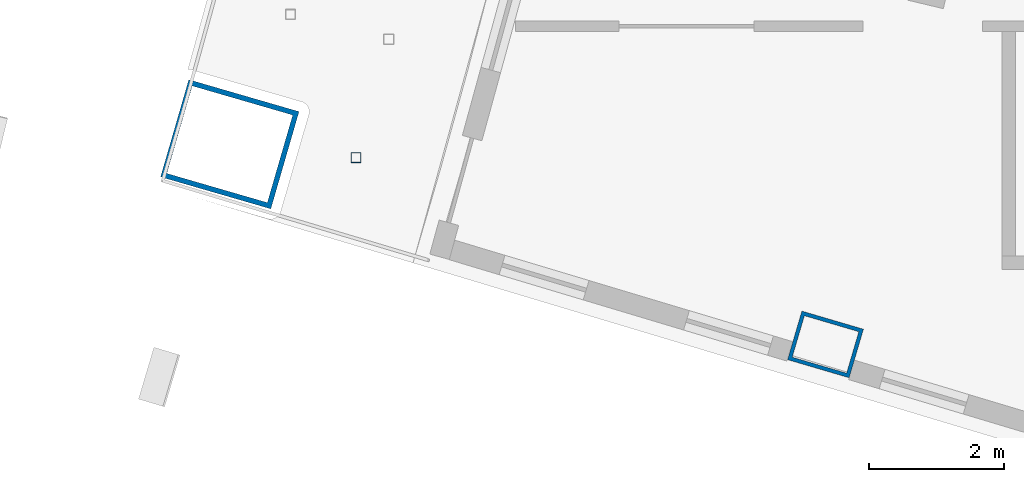
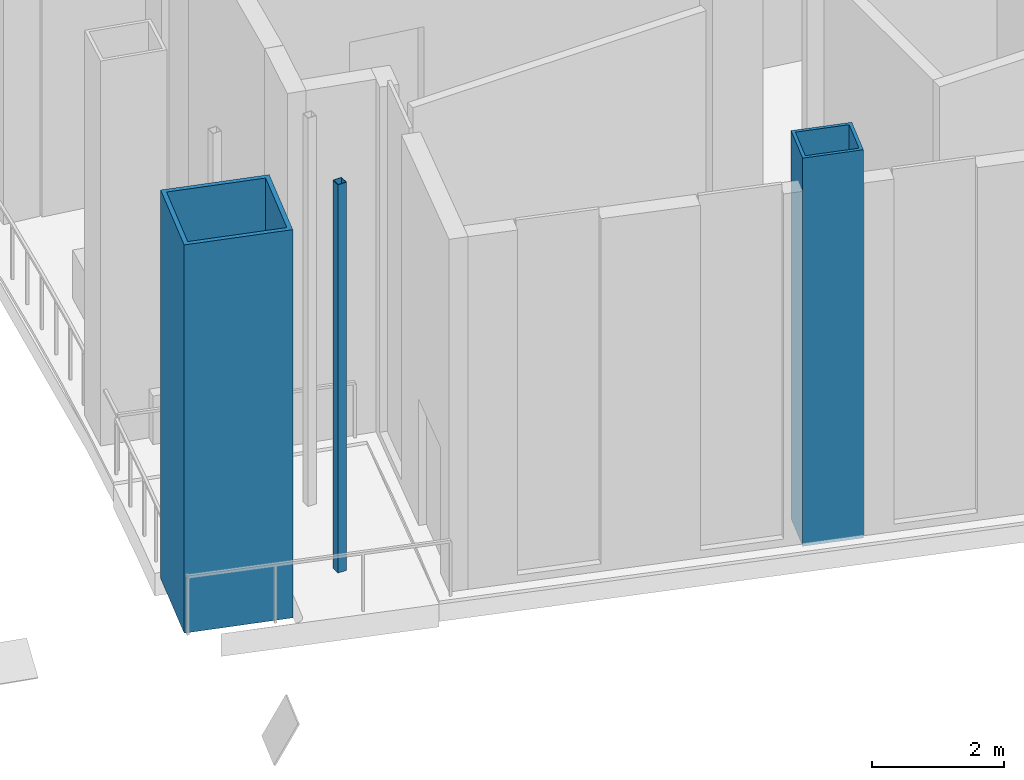
# One storey, part 1 of 24: 3 columns.
"""IFC4 building model written with IfcOpenShell, lengths in metres."""

import ifcopenshell
import ifcopenshell.guid

model = None  # the IFC model being written
_history = None  # IfcOwnerHistory: only IFC2X3 demands one
_inside = {}  # id of a spatial element -> (the spatial element, [elements in it])
_under = {}  # id of a project, library or spatial element -> (it, [spatial elements below it])
_declared = {}  # id of a project -> (the project, [libraries it declares])
_typed = {}  # id of a type object -> (the type object, [elements of that type])
_made_of = {}  # id of a material, layer set ... -> (it, [elements and type objects made of it])


def new_model(schema):
    """Start an empty IFC model of exactly this schema.

    Asked for "IFC4X3", IfcOpenShell would pick the latest addendum, in which some entities
    have other attributes; the version numbers below select the first issue.
    IFC2X3 requires an IfcOwnerHistory on every rooted entity: one is made here for all.
    """
    global model, _history
    if schema == "IFC4X3":
        model = ifcopenshell.file(schema_version=(4, 3, 0, 0))
    else:
        model = ifcopenshell.file(schema=schema)
    _inside.clear()
    _under.clear()
    _declared.clear()
    _typed.clear()
    _made_of.clear()
    _history = None
    if model.schema == "IFC2X3":
        org = make("IfcOrganization", Name="unknown")
        user = make(
            "IfcPersonAndOrganization",
            ThePerson=make("IfcPerson", FamilyName="unknown"),
            TheOrganization=org,
        )
        app = make(
            "IfcApplication",
            ApplicationDeveloper=org,
            Version="unknown",
            ApplicationFullName="unknown",
            ApplicationIdentifier="unknown",
        )
        _history = make(
            "IfcOwnerHistory",
            OwningUser=user,
            OwningApplication=app,
            ChangeAction="ADDED",
            CreationDate=0,
        )
    return model


def make(cls, **values):
    """One entity of the class cls with the attributes given. An attribute that is None is left unset."""
    return model.create_entity(
        cls, **{name: value for name, value in values.items() if value is not None}
    )


def rooted(cls, **values):
    """An entity with a GlobalId (a new one), such as an element, a storey or a relation."""
    return make(cls, GlobalId=ifcopenshell.guid.new(), OwnerHistory=_history, **values)


def si_unit(unit_type, name, prefix=None):
    """IfcSIUnit, for example si_unit("LENGTHUNIT", "METRE", prefix="MILLI")."""
    return make("IfcSIUnit", UnitType=unit_type, Prefix=prefix, Name=name)


def assignment(units):
    """IfcUnitAssignment: the units of a project."""
    return None if units is None else make("IfcUnitAssignment", Units=units)


def point(xyz):
    """IfcCartesianPoint."""
    return None if xyz is None else make("IfcCartesianPoint", Coordinates=xyz)


def direction(xyz):
    """IfcDirection."""
    return None if xyz is None else make("IfcDirection", DirectionRatios=xyz)


def frame(location, z_axis=None, x_axis=None):
    """IfcAxis2Placement3D, a coordinate frame: its origin and axes. An axis left out is left unset."""
    return make(
        "IfcAxis2Placement3D",
        Location=point(location),
        Axis=direction(z_axis),
        RefDirection=direction(x_axis),
    )


def frame_2d(location, x_axis=None):
    """IfcAxis2Placement2D, a coordinate frame in the plane: its origin and x axis."""
    return make(
        "IfcAxis2Placement2D", Location=point(location), RefDirection=direction(x_axis)
    )


def origin():
    """The frame at (0, 0, 0) with its axes left unset."""
    return frame((0.0, 0.0, 0.0))


def origin_2d():
    """The frame at (0, 0) in the plane with its x axis left unset."""
    return frame_2d((0.0, 0.0))


def place(relative_to, where):
    """IfcLocalPlacement: puts the frame where relative to a parent placement (None: the world)."""
    return make(
        "IfcLocalPlacement", PlacementRelTo=relative_to, RelativePlacement=where
    )


def context(
    kind, dimensions, precision=None, world=None, true_north=None, identifier=None
):
    """IfcGeometricRepresentationContext, for example the 3D "Model" context."""
    return make(
        "IfcGeometricRepresentationContext",
        ContextIdentifier=identifier,
        ContextType=kind,
        CoordinateSpaceDimension=dimensions,
        Precision=precision,
        WorldCoordinateSystem=world,
        TrueNorth=true_north,
    )


def subcontext(parent, identifier, kind, view, scale=None):
    """IfcGeometricRepresentationSubContext, for example "Body" below "Model"."""
    return make(
        "IfcGeometricRepresentationSubContext",
        ContextIdentifier=identifier,
        ContextType=kind,
        ParentContext=parent,
        TargetScale=scale,
        TargetView=view,
    )


def project(units=None, contexts=None):
    """IfcProject with its units and contexts."""
    return rooted(
        "IfcProject",
        Name="project",
        RepresentationContexts=contexts,
        UnitsInContext=assignment(units),
    )


def spatial(cls, under=None, at=None, **own):
    """A site, building, storey or space (cls), placed at a placement, below another one or the project."""
    s = rooted(cls, ObjectPlacement=at, **own)
    if under is not None:
        _under.setdefault(under.id(), (under, []))[1].append(s)
    return s


def profile(cls, at=None, kind="AREA", **sizes):
    """A parametric profile (cls). Its sizes go by their IFC names, for example OverallWidth=200.0."""
    return make(cls, ProfileType=kind, Position=at, **sizes)


def hollow_rectangle(**sizes):
    """IfcRectangleHollowProfileDef."""
    return profile("IfcRectangleHollowProfileDef", **sizes)


def extrude(swept, where, along, depth):
    """IfcExtrudedAreaSolid: the profile swept, set in the frame where, extruded along a direction by depth."""
    return make(
        "IfcExtrudedAreaSolid",
        SweptArea=swept,
        Position=where,
        ExtrudedDirection=direction(along),
        Depth=depth,
    )


def shape(context_of_items, identifier, shape_type, items):
    """IfcShapeRepresentation: the items that make up one representation, for example the "Body"."""
    return make(
        "IfcShapeRepresentation",
        ContextOfItems=context_of_items,
        RepresentationIdentifier=identifier,
        RepresentationType=shape_type,
        Items=items,
    )


def material(Name=None, Category=None):
    """IfcMaterial."""
    return make("IfcMaterial", Name=Name, Category=Category)


def material_profile(
    of_material, cross_section, Name=None, Category=None, Priority=None
):
    """IfcMaterialProfile: a cross section and its material."""
    return make(
        "IfcMaterialProfile",
        Name=Name,
        Material=of_material,
        Profile=cross_section,
        Priority=Priority,
        Category=Category,
    )


def profile_set(profiles, Name=None, composite=None):
    """IfcMaterialProfileSet."""
    return make(
        "IfcMaterialProfileSet",
        Name=Name,
        MaterialProfiles=profiles,
        CompositeProfile=composite,
    )


def made_of(thing, what):
    """Note that an element or type object is made of a material, layer set ...; save() writes the relation."""
    if what is not None:
        _made_of.setdefault(what.id(), (what, []))[1].append(thing)
    return thing


def type_object(cls, material=None, **own):
    """A type object (cls), such as IfcWallType, which elements share."""
    return made_of(rooted(cls, **own), material)


def element(
    cls,
    number,
    at=None,
    inside=None,
    cuts=None,
    type_object=None,
    material=None,
    context=None,
    identifier="Body",
    shape_type=None,
    held_by="IfcProductDefinitionShape",
    body=None,
    shapes=None,
    **own,
):
    """One element of the class cls, such as IfcWall. Its Tag is "e" and its number.

    at: its placement. inside: the storey or other place that contains it. cuts: it is an
    opening in that element (IfcRelVoidsElement). A single representation is given by context,
    identifier, shape_type and body (its items); several are given by shapes. held_by: the class
    of the entity that holds the representations. save() writes the other relations.
    """
    e = rooted(cls, Tag="e%d" % number, ObjectPlacement=at, **own)
    if body is not None:
        shapes = [shape(context, identifier, shape_type, body)]
    if shapes is not None:
        e.Representation = make(held_by, Representations=shapes)
    if inside is not None:
        _inside.setdefault(inside.id(), (inside, []))[1].append(e)
    if cuts is not None:
        rooted(
            "IfcRelVoidsElement", RelatingBuildingElement=cuts, RelatedOpeningElement=e
        )
    if type_object is not None:
        _typed.setdefault(type_object.id(), (type_object, []))[1].append(e)
    return made_of(e, material)


def aggregate(whole, parts):
    """IfcRelAggregates: a whole, such as a stair, and the parts it consists of."""
    return rooted("IfcRelAggregates", RelatingObject=whole, RelatedObjects=parts)


def save(model, path):
    """Write the relations noted so far, then the file.

    IfcRelAggregates (storeys below a building ...), IfcRelContainedInSpatialStructure (elements
    in a storey), IfcRelDefinesByType, IfcRelAssociatesMaterial and IfcRelDeclares: one each for
    every whole, place, type object, material and project.
    """
    for whole, parts in _under.values():
        aggregate(whole, parts)
    for where, things in _inside.values():
        rooted(
            "IfcRelContainedInSpatialStructure",
            RelatedElements=things,
            RelatingStructure=where,
        )
    for kind, things in _typed.values():
        rooted("IfcRelDefinesByType", RelatedObjects=things, RelatingType=kind)
    for what, things in _made_of.values():
        rooted("IfcRelAssociatesMaterial", RelatedObjects=things, RelatingMaterial=what)
    for by, libraries in _declared.values():
        rooted("IfcRelDeclares", RelatingContext=by, RelatedDefinitions=libraries)
    model.write(path)


model = new_model("IFC4")

# Units and contexts
model_context = context("Model", 3, precision=1e-05, world=origin(), true_north=direction((0.0, 1.0)))
body_context = subcontext(model_context, "Body", "Model", "MODEL_VIEW")
ifc_project = project(units=[si_unit("LENGTHUNIT", "METRE"), si_unit("AREAUNIT", "SQUARE_METRE"), si_unit("VOLUMEUNIT", "CUBIC_METRE"), si_unit("PLANEANGLEUNIT", "RADIAN"), si_unit("MASSUNIT", "GRAM", prefix="KILO")], contexts=[model_context])

# Site, building, storey
site_placement = place(None, origin())
site = spatial("IfcSite", under=ifc_project, at=site_placement, CompositionType="ELEMENT")
building_placement = place(site_placement, origin())
building = spatial("IfcBuilding", under=site, at=building_placement, Name="Alderwake Tower", CompositionType="ELEMENT")
storey_placement = place(building_placement, frame((0.0, 0.0, 232.39990234375)))
storey = spatial("IfcBuildingStorey", under=building, at=storey_placement, Name="L58", CompositionType="ELEMENT", Elevation=232.39990234375)

# Columns
ifc_material_1 = material(Name="Steel ASTM A572 Grade 50 concrete filled C70/85", Category="concrete")
ifc_material_profile_1 = material_profile(ifc_material_1, hollow_rectangle(XDim=0.75, YDim=0.949951171875, WallThickness=0.054931640625, at=origin_2d()), Name="BOX 950X750X55")
ifc_profile_set_1 = profile_set([ifc_material_profile_1], Name="Steel ASTM A572 Grade 50 concrete filled C70/85")
column_type_1 = type_object("IfcColumnType", Name="End column Z4", PredefinedType="COLUMN", material=ifc_profile_set_1)
column_1_placement = place(storey_placement, frame((21.885498046875, 31.03759765625, 0.0), z_axis=(0.0, 0.0, 1.0), x_axis=(0.282132160283, 0.95937554906, 0.0)))
element("IfcColumn", 1, at=column_1_placement, inside=storey, type_object=column_type_1, Name="Column R02-C1", PredefinedType="COLUMN", context=body_context, shape_type="SweptSolid", body=[
    extrude(hollow_rectangle(XDim=0.75, YDim=0.949951171875, WallThickness=0.054931640625, at=origin_2d()), origin(), (0.0, 0.0, 1.0), 7.2001953125),
])
ifc_material_2 = material(Name="Steel ASTM A500 Grade C", Category="steel")
ifc_material_profile_2 = material_profile(ifc_material_2, hollow_rectangle(XDim=0.15234375, YDim=0.15234375, WallThickness=0.0087890625, at=origin_2d()), Name="HSS6X6X3/8")
ifc_profile_set_2 = profile_set([ifc_material_profile_2], Name="Steel ASTM A500 Grade C")
column_type_2 = type_object("IfcColumnType", Name="Light post HSS6X6X3/8", PredefinedType="COLUMN", material=ifc_profile_set_2)
column_2_placement = place(storey_placement, frame((14.93115234375, 33.803955078125, 0.0), z_axis=(0.0, 0.0, 1.0), x_axis=(1.0, 0.0, 0.0)))
element("IfcColumn", 2, at=column_2_placement, inside=storey, type_object=column_type_2, Name="Terrace post RS2", PredefinedType="COLUMN", context=body_context, shape_type="SweptSolid", body=[
    extrude(hollow_rectangle(XDim=0.15234375, YDim=0.15234375, WallThickness=0.0087890625, at=origin_2d()), origin(), (0.0, 0.0, 1.0), 7.2001953125),
])
ifc_material_3 = material(Name="Steel ASTM A572 Grade 50 concrete filled C70/85", Category="concrete")
ifc_material_profile_3 = material_profile(ifc_material_3, hollow_rectangle(XDim=1.5, YDim=1.699951171875, WallThickness=0.074951171875, at=origin_2d()), Name="BOX 1700X1500X75")
ifc_profile_set_3 = profile_set([ifc_material_profile_3], Name="Steel ASTM A572 Grade 50 concrete filled C70/85")
column_type_3 = type_object("IfcColumnType", Name="Mega column Z4", PredefinedType="COLUMN", material=ifc_profile_set_3)
column_3_placement = place(storey_placement, frame((13.06298828125, 34.00244140625, 0.0), z_axis=(0.0, 0.0, 1.0), x_axis=(0.278612301868, 0.960403657452, 0.0)))
element("IfcColumn", 3, at=column_3_placement, inside=storey, type_object=column_type_3, Name="Column R02-C0", PredefinedType="COLUMN", context=body_context, shape_type="SweptSolid", body=[
    extrude(hollow_rectangle(XDim=1.5, YDim=1.699951171875, WallThickness=0.074951171875, at=origin_2d()), origin(), (0.0, 0.0, 1.0), 7.2001953125),
])

save(model, "model.ifc")
